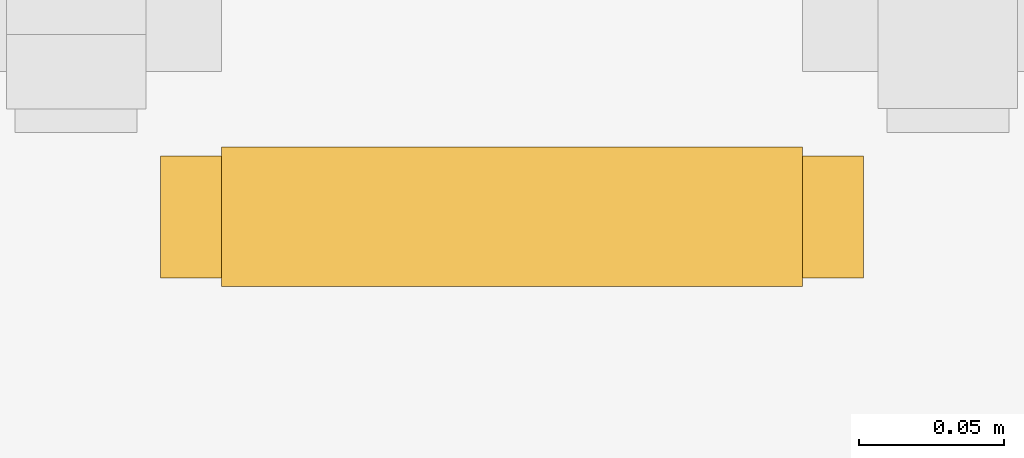
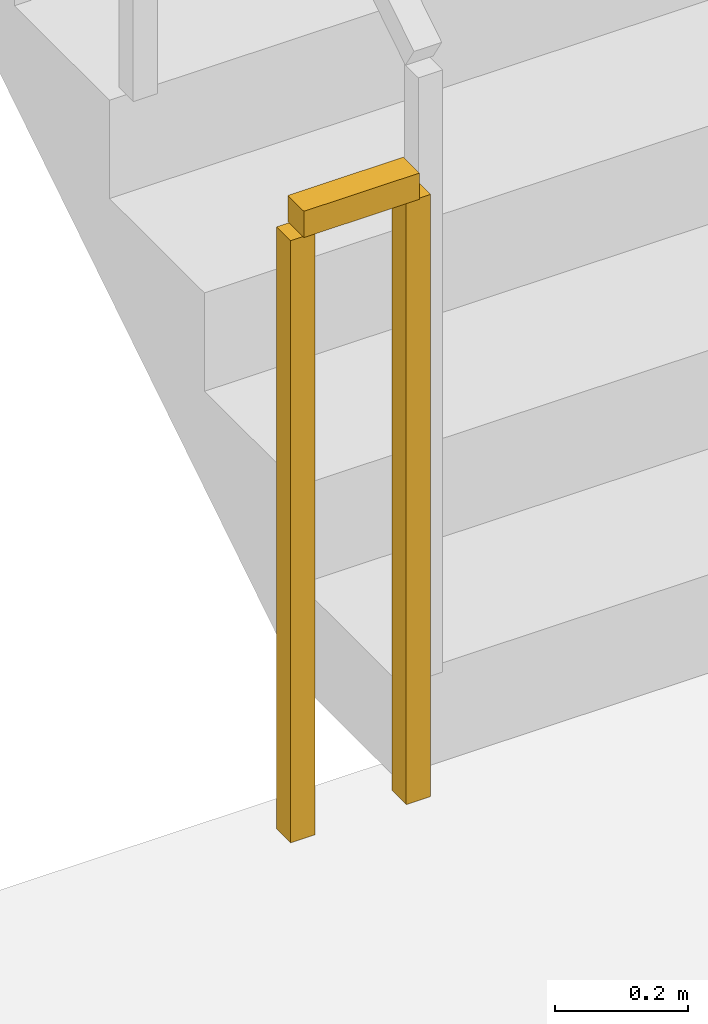
# One storey, part 22 of 24: 1 railing.
"""IFC4 building model written with IfcOpenShell, lengths in metres."""

from ifc_helpers import new_model, si_unit, direction, frame, origin, origin_2d, place, context, subcontext, project, spatial, rectangle, extrude, material, type_object, element, save


model = new_model("IFC4")

# Units and contexts
model_context = context("Model", 3, precision=1e-05, world=origin(), true_north=direction((0.0, 1.0)))
body_context = subcontext(model_context, "Body", "Model", "MODEL_VIEW")
ifc_project = project(units=[si_unit("LENGTHUNIT", "METRE"), si_unit("AREAUNIT", "SQUARE_METRE"), si_unit("VOLUMEUNIT", "CUBIC_METRE"), si_unit("PLANEANGLEUNIT", "RADIAN"), si_unit("MASSUNIT", "GRAM", prefix="KILO")], contexts=[model_context])

# Site, building, storey
site_placement = place(None, origin())
site = spatial("IfcSite", under=ifc_project, at=site_placement, CompositionType="ELEMENT")
building_placement = place(site_placement, origin())
building = spatial("IfcBuilding", under=site, at=building_placement, Name="Sarneth Arch Tower", CompositionType="ELEMENT")
storey_placement = place(building_placement, frame((0.0, 0.0, 87.60009765625)))
storey = spatial("IfcBuildingStorey", under=building, at=storey_placement, Name="L21", CompositionType="ELEMENT", Elevation=87.60009765625)

# Railing
ifc_material = material(Name="Painted Steel S275 stair well guard", Category="steel")
railing_type = type_object("IfcRailingType", Name="RAIL-STAIR-GUARD", PredefinedType="GUARDRAIL", material=ifc_material)
railing_placement = place(storey_placement, frame((39.050048828125, 41.39990234375, 0.0)))
element("IfcRailing", 1, at=railing_placement, inside=storey, type_object=railing_type, Name="L21 ST-1 stair guard 4", PredefinedType="GUARDRAIL", context=body_context, shape_type="SweptSolid", body=[
    extrude(rectangle(XDim=0.048095703125, YDim=0.048095703125, at=origin_2d()), frame((0.0, 0.0, 1.1259765625), z_axis=(-1.0, 0.0, 0.0), x_axis=(0.0, -1.0, 0.0)), (0.0, 0.0, 1.0), 0.199951171875),
    extrude(rectangle(XDim=0.0419921875, YDim=0.0419921875, at=origin_2d()), origin(), (0.0, 0.0, 1.0), 1.101806640625),
    extrude(rectangle(XDim=0.0419921875, YDim=0.0419921875, at=origin_2d()), frame((-0.199951171875, 0.0, 0.0)), (0.0, 0.0, 1.0), 1.101806640625),
])

save(model, "model.ifc")
